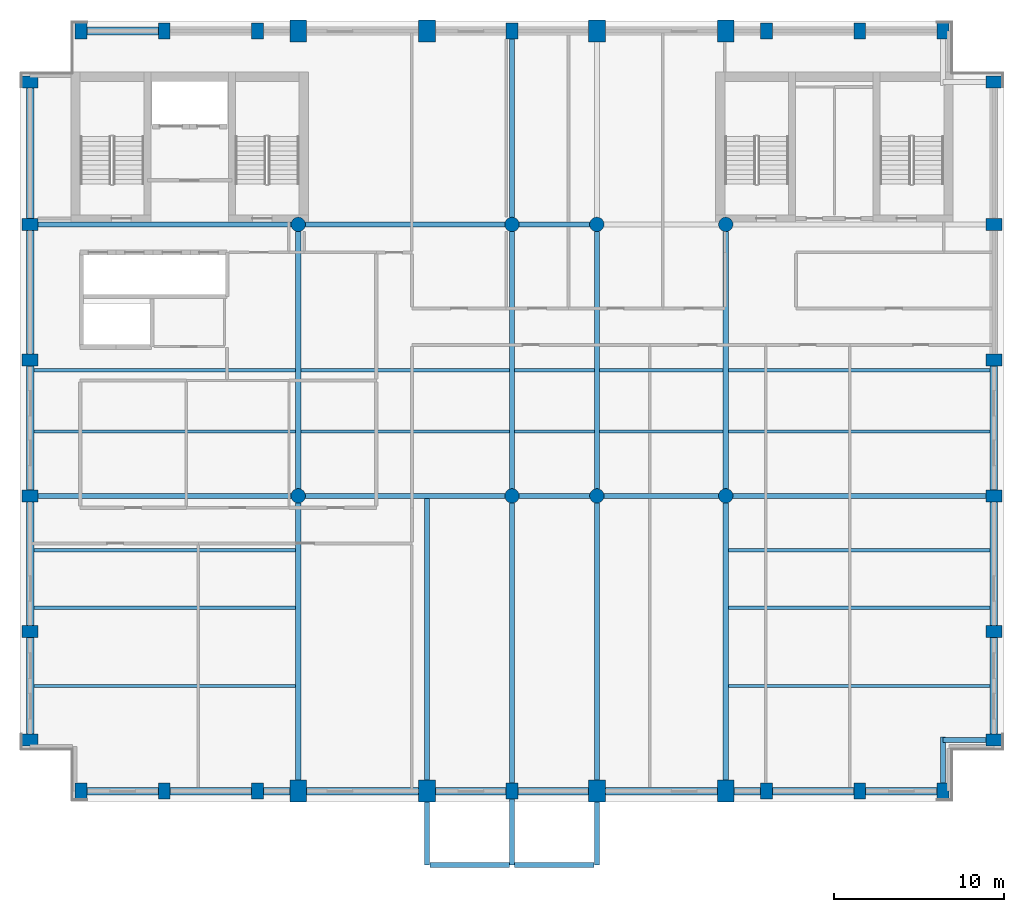
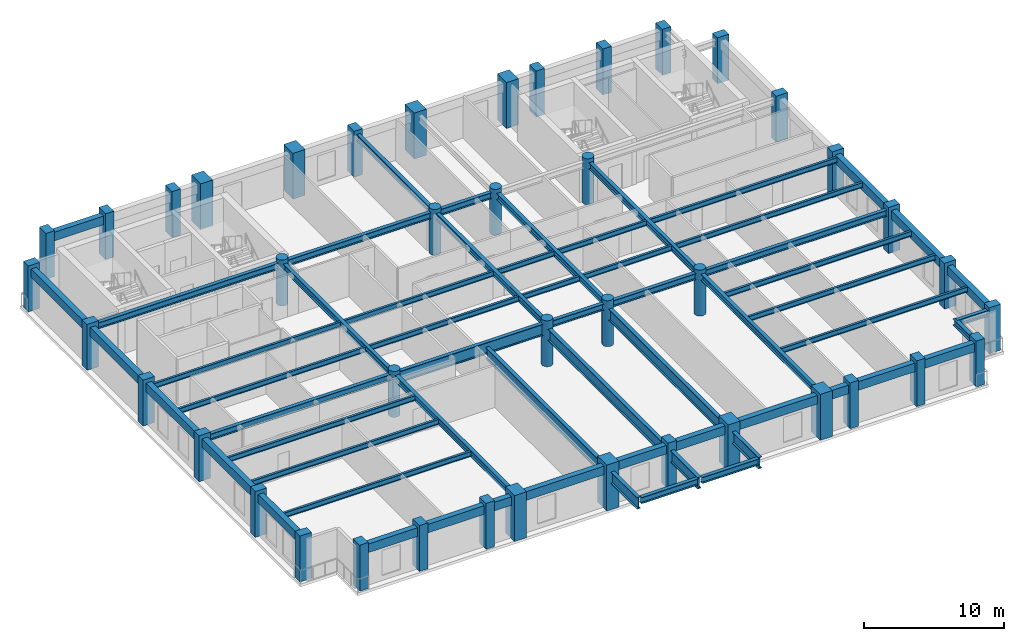
# One storey, part 1 of 9: 60 beams, 42 columns.
"""IFC4 building model written with IfcOpenShell, lengths in metres."""

from ifc_helpers import new_model, si_unit, direction, frame, origin, origin_2d, place, context, subcontext, project, spatial, rectangle, circle, i_section, extrude, material, material_profile, profile_set, type_object, element, save


model = new_model("IFC4")

# Units and contexts
model_context = context("Model", 3, precision=1e-05, world=origin(), true_north=direction((0.0, 1.0)))
body_context = subcontext(model_context, "Body", "Model", "MODEL_VIEW")
ifc_project = project(units=[si_unit("LENGTHUNIT", "METRE"), si_unit("AREAUNIT", "SQUARE_METRE"), si_unit("VOLUMEUNIT", "CUBIC_METRE"), si_unit("PLANEANGLEUNIT", "RADIAN"), si_unit("MASSUNIT", "GRAM", prefix="KILO")], contexts=[model_context])

# Site, building, storey
site_placement = place(None, origin())
site = spatial("IfcSite", under=ifc_project, at=site_placement, CompositionType="ELEMENT")
building_placement = place(site_placement, origin())
building = spatial("IfcBuilding", under=site, at=building_placement, Name="Sulina Concourse Tower", CompositionType="ELEMENT")
storey_placement = place(building_placement, frame((0.0, 0.0, 276.60009765625)))
storey = spatial("IfcBuildingStorey", under=building, at=storey_placement, Name="L67", CompositionType="ELEMENT", Elevation=276.60009765625)

# Columns
ifc_material_1 = material(Name="Precast concrete C50/60", Category="concrete")
ifc_material_profile_1 = material_profile(ifc_material_1, rectangle(XDim=0.699951171875, YDim=0.949951171875, at=origin_2d()), Name="PC 700x950")
ifc_profile_set_1 = profile_set([ifc_material_profile_1], Name="Precast concrete C50/60")
column_type_1 = type_object("IfcColumnType", Name="Precast Tube Pier Zone 5 700x950", PredefinedType="COLUMN", material=ifc_profile_set_1)
for number, where, z_axis, x_axis, name in (
    (1, (3.60009765625, 0.60009765625, 0.0), (0.0, 0.0, 1.0), (1.0, 0.0, 0.0), "L67 structural column TP-S-36"),
    (2, (3.60009765625, 45.39990234375, 0.0), (0.0, 0.0, 1.0), (1.0, 0.0, 0.0), "L67 structural column TP-N-36"),
    (3, (8.5, 0.60009765625, 0.0), (0.0, 0.0, 1.0), (1.0, 0.0, 0.0), "L67 structural column TP-S-85"),
    (4, (8.5, 45.39990234375, 0.0), (0.0, 0.0, 1.0), (1.0, 0.0, 0.0), "L67 structural column TP-N-85"),
    (5, (14.0, 0.60009765625, 0.0), (0.0, 0.0, 1.0), (1.0, 0.0, 0.0), "L67 structural column TP-S-140"),
    (6, (14.0, 45.39990234375, 0.0), (0.0, 0.0, 1.0), (1.0, 0.0, 0.0), "L67 structural column TP-N-140"),
    (7, (29.0, 0.60009765625, 0.0), (0.0, 0.0, 1.0), (1.0, 0.0, 0.0), "L67 structural column TP-S-290"),
    (8, (29.0, 45.39990234375, 0.0), (0.0, 0.0, 1.0), (1.0, 0.0, 0.0), "L67 structural column TP-N-290"),
    (9, (44.0, 0.60009765625, 0.0), (0.0, 0.0, 1.0), (1.0, 0.0, 0.0), "L67 structural column TP-S-440"),
    (10, (44.0, 45.39990234375, 0.0), (0.0, 0.0, 1.0), (1.0, 0.0, 0.0), "L67 structural column TP-N-440"),
    (11, (49.5, 0.60009765625, 0.0), (0.0, 0.0, 1.0), (1.0, 0.0, 0.0), "L67 structural column TP-S-495"),
    (12, (49.5, 45.39990234375, 0.0), (0.0, 0.0, 1.0), (1.0, 0.0, 0.0), "L67 structural column TP-N-495"),
    (13, (54.39990234375, 0.60009765625, 0.0), (0.0, 0.0, 1.0), (1.0, 0.0, 0.0), "L67 structural column TP-S-544"),
    (14, (54.39990234375, 45.39990234375, 0.0), (0.0, 0.0, 1.0), (1.0, 0.0, 0.0), "L67 structural column TP-N-544"),
    (15, (0.60009765625, 3.60009765625, 0.0), (0.0, 0.0, 1.0), (0.0, 1.0, 0.0), "L67 structural column TP-W-36"),
    (16, (57.39990234375, 3.60009765625, 0.0), (0.0, 0.0, 1.0), (0.0, 1.0, 0.0), "L67 structural column TP-E-36"),
    (17, (0.60009765625, 10.0, 0.0), (0.0, 0.0, 1.0), (0.0, 1.0, 0.0), "L67 structural column TP-W-100"),
    (18, (57.39990234375, 10.0, 0.0), (0.0, 0.0, 1.0), (0.0, 1.0, 0.0), "L67 structural column TP-E-100"),
    (19, (0.60009765625, 18.0, 0.0), (0.0, 0.0, 1.0), (0.0, 1.0, 0.0), "L67 structural column TP-W-180"),
    (20, (57.39990234375, 18.0, 0.0), (0.0, 0.0, 1.0), (0.0, 1.0, 0.0), "L67 structural column TP-E-180"),
    (21, (0.60009765625, 26.0, 0.0), (0.0, 0.0, 1.0), (0.0, 1.0, 0.0), "L67 structural column TP-W-260"),
    (22, (57.39990234375, 26.0, 0.0), (0.0, 0.0, 1.0), (0.0, 1.0, 0.0), "L67 structural column TP-E-260"),
    (23, (0.60009765625, 34.0, 0.0), (0.0, 0.0, 1.0), (0.0, 1.0, 0.0), "L67 structural column TP-W-340"),
    (24, (57.39990234375, 34.0, 0.0), (0.0, 0.0, 1.0), (0.0, 1.0, 0.0), "L67 structural column TP-E-340"),
    (25, (0.60009765625, 42.39990234375, 0.0), (0.0, 0.0, 1.0), (0.0, 1.0, 0.0), "L67 structural column TP-W-424"),
    (26, (57.39990234375, 42.39990234375, 0.0), (0.0, 0.0, 1.0), (0.0, 1.0, 0.0), "L67 structural column TP-E-424"),
):
    element("IfcColumn", number, at=place(storey_placement, frame(where, z_axis=z_axis, x_axis=x_axis)), inside=storey, type_object=column_type_1, Name=name, PredefinedType="COLUMN", context=body_context, shape_type="SweptSolid", body=[
        extrude(rectangle(XDim=0.699951171875, YDim=0.949951171875, at=origin_2d()), origin(), (0.0, 0.0, 1.0), 4.0),
    ])
ifc_material_2 = material(Name="Concrete C50/60", Category="concrete")
ifc_material_profile_2 = material_profile(ifc_material_2, circle(Radius=0.425048828125, at=origin_2d()), Name="RC D850")
ifc_profile_set_2 = profile_set([ifc_material_profile_2], Name="Concrete C50/60")
column_type_2 = type_object("IfcColumnType", Name="Upper Interior Circular Column D850", PredefinedType="COLUMN", material=ifc_profile_set_2)
for number, where, z_axis, x_axis, name in (
    (27, (16.39990234375, 18.0, 0.0), (0.0, 0.0, 1.0), (1.0, 0.0, 0.0), "L67 structural column IC-M-164"),
    (28, (16.39990234375, 34.0, 0.0), (0.0, 0.0, 1.0), (1.0, 0.0, 0.0), "L67 structural column IC-N-164"),
    (29, (29.0, 18.0, 0.0), (0.0, 0.0, 1.0), (1.0, 0.0, 0.0), "L67 structural column IC-M-290"),
    (30, (29.0, 34.0, 0.0), (0.0, 0.0, 1.0), (1.0, 0.0, 0.0), "L67 structural column IC-N-290"),
    (31, (41.60009765625, 18.0, 0.0), (0.0, 0.0, 1.0), (1.0, 0.0, 0.0), "L67 structural column IC-M-416"),
    (32, (41.60009765625, 34.0, 0.0), (0.0, 0.0, 1.0), (1.0, 0.0, 0.0), "L67 structural column IC-N-416"),
    (33, (34.0, 18.0, 0.0), (0.0, 0.0, 1.0), (1.0, 0.0, 0.0), "L67 structural column IC-M-340"),
    (34, (34.0, 34.0, 0.0), (0.0, 0.0, 1.0), (1.0, 0.0, 0.0), "L67 structural column IC-N-340"),
):
    element("IfcColumn", number, at=place(storey_placement, frame(where, z_axis=z_axis, x_axis=x_axis)), inside=storey, type_object=column_type_2, Name=name, PredefinedType="COLUMN", context=body_context, shape_type="SweptSolid", body=[
        extrude(circle(Radius=0.425048828125, at=origin_2d()), origin(), (0.0, 0.0, 1.0), 4.0),
    ])
ifc_material_3 = material(Name="Concrete C60/75", Category="concrete")
ifc_material_profile_3 = material_profile(ifc_material_3, rectangle(XDim=1.0, YDim=1.300048828125, at=origin_2d()), Name="RC 1000x1300")
ifc_profile_set_3 = profile_set([ifc_material_profile_3], Name="Concrete C60/75")
column_type_3 = type_object("IfcColumnType", Name="Upper Portal Column 1000x1300", PredefinedType="COLUMN", material=ifc_profile_set_3)
for number, where, z_axis, x_axis, name in (
    (35, (16.39990234375, 0.60009765625, 0.0), (0.0, 0.0, 1.0), (1.0, 0.0, 0.0), "L67 structural column TP-S-164"),
    (36, (16.39990234375, 45.39990234375, 0.0), (0.0, 0.0, 1.0), (1.0, 0.0, 0.0), "L67 structural column TP-N-164"),
    (37, (24.0, 0.60009765625, 0.0), (0.0, 0.0, 1.0), (1.0, 0.0, 0.0), "L67 structural column TP-S-240"),
    (38, (24.0, 45.39990234375, 0.0), (0.0, 0.0, 1.0), (1.0, 0.0, 0.0), "L67 structural column TP-N-240"),
    (39, (34.0, 0.60009765625, 0.0), (0.0, 0.0, 1.0), (1.0, 0.0, 0.0), "L67 structural column TP-S-340"),
    (40, (34.0, 45.39990234375, 0.0), (0.0, 0.0, 1.0), (1.0, 0.0, 0.0), "L67 structural column TP-N-340"),
    (41, (41.60009765625, 0.60009765625, 0.0), (0.0, 0.0, 1.0), (1.0, 0.0, 0.0), "L67 structural column TP-S-416"),
    (42, (41.60009765625, 45.39990234375, 0.0), (0.0, 0.0, 1.0), (1.0, 0.0, 0.0), "L67 structural column TP-N-416"),
):
    element("IfcColumn", number, at=place(storey_placement, frame(where, z_axis=z_axis, x_axis=x_axis)), inside=storey, type_object=column_type_3, Name=name, PredefinedType="COLUMN", context=body_context, shape_type="SweptSolid", body=[
        extrude(rectangle(XDim=1.0, YDim=1.300048828125, at=origin_2d()), origin(), (0.0, 0.0, 1.0), 4.0),
    ])

# Beams
ifc_material_4 = material(Name="Steel S355", Category="steel")
ifc_material_profile_4 = material_profile(ifc_material_4, i_section(OverallWidth=0.18994140625, OverallDepth=0.449951171875, WebThickness=0.009521484375, FlangeThickness=0.0146484375, at=origin_2d()), Name="IPE 450")
ifc_profile_set_4 = profile_set([ifc_material_profile_4], Name="Steel S355")
beam_type_1 = type_object("IfcBeamType", Name="Composite Floor Joist IPE450", PredefinedType="JOIST", material=ifc_profile_set_4)
for number, where, z_axis, x_axis, name in (
    (43, (0.824951171875, 6.800048828125, 3.434814453125), (1.0, 0.0, 0.0), (0.0, 1.0, 0.0), "FJ-J06-1-L67"),
    (44, (41.75, 6.800048828125, 3.434814453125), (1.0, 0.0, 0.0), (0.0, 1.0, 0.0), "FJ-J06-3-L67"),
    (45, (0.824951171875, 11.39990234375, 3.434814453125), (1.0, 0.0, 0.0), (0.0, 1.0, 0.0), "FJ-J11-1-L67"),
    (46, (41.75, 11.39990234375, 3.434814453125), (1.0, 0.0, 0.0), (0.0, 1.0, 0.0), "FJ-J11-3-L67"),
    (47, (0.824951171875, 14.800048828125, 3.434814453125), (1.0, 0.0, 0.0), (0.0, 1.0, 0.0), "FJ-J15-1-L67"),
    (48, (41.75, 14.800048828125, 3.434814453125), (1.0, 0.0, 0.0), (0.0, 1.0, 0.0), "FJ-J15-3-L67"),
    (49, (0.824951171875, 21.800048828125, 3.434814453125), (1.0, 0.0, 0.0), (0.0, 1.0, 0.0), "FJ-J22-1-L67"),
):
    element("IfcBeam", number, at=place(storey_placement, frame(where, z_axis=z_axis, x_axis=x_axis)), inside=storey, type_object=beam_type_1, Name=name, PredefinedType="JOIST", context=body_context, shape_type="SweptSolid", body=[
        extrude(i_section(OverallWidth=0.18994140625, OverallDepth=0.449951171875, WebThickness=0.009521484375, FlangeThickness=0.0146484375, at=origin_2d()), origin(), (0.0, 0.0, 1.0), 15.425048828125),
    ])
beam_1_placement = place(storey_placement, frame((16.550048828125, 21.800048828125, 3.434814453125), z_axis=(1.0, 0.0, 0.0), x_axis=(0.0, 1.0, 0.0)))
element("IfcBeam", 50, at=beam_1_placement, inside=storey, type_object=beam_type_1, Name="FJ-J22-2-L67", PredefinedType="JOIST", context=body_context, shape_type="SweptSolid", body=[
    extrude(i_section(OverallWidth=0.18994140625, OverallDepth=0.449951171875, WebThickness=0.009521484375, FlangeThickness=0.0146484375, at=origin_2d()), origin(), (0.0, 0.0, 1.0), 12.300048828125),
])
beam_2_placement = place(storey_placement, frame((29.14990234375, 21.800048828125, 3.434814453125), z_axis=(1.0, 0.0, 0.0), x_axis=(0.0, 1.0, 0.0)))
element("IfcBeam", 51, at=beam_2_placement, inside=storey, type_object=beam_type_1, Name="FJ-J22-3-L67", PredefinedType="JOIST", context=body_context, shape_type="SweptSolid", body=[
    extrude(i_section(OverallWidth=0.18994140625, OverallDepth=0.449951171875, WebThickness=0.009521484375, FlangeThickness=0.0146484375, at=origin_2d()), origin(), (0.0, 0.0, 1.0), 4.7001953125),
])
beam_3_placement = place(storey_placement, frame((34.14990234375, 21.800048828125, 3.434814453125), z_axis=(1.0, 0.0, 0.0), x_axis=(0.0, 1.0, 0.0)))
element("IfcBeam", 52, at=beam_3_placement, inside=storey, type_object=beam_type_1, Name="FJ-J22-4-L67", PredefinedType="JOIST", context=body_context, shape_type="SweptSolid", body=[
    extrude(i_section(OverallWidth=0.18994140625, OverallDepth=0.449951171875, WebThickness=0.009521484375, FlangeThickness=0.0146484375, at=origin_2d()), origin(), (0.0, 0.0, 1.0), 7.300048828125),
])
for number, where, z_axis, x_axis, name in (
    (53, (41.75, 21.800048828125, 3.434814453125), (1.0, 0.0, 0.0), (0.0, 1.0, 0.0), "FJ-J22-5-L67"),
    (54, (0.824951171875, 25.39990234375, 3.434814453125), (1.0, 0.0, 0.0), (0.0, 1.0, 0.0), "FJ-J25-1-L67"),
):
    element("IfcBeam", number, at=place(storey_placement, frame(where, z_axis=z_axis, x_axis=x_axis)), inside=storey, type_object=beam_type_1, Name=name, PredefinedType="JOIST", context=body_context, shape_type="SweptSolid", body=[
        extrude(i_section(OverallWidth=0.18994140625, OverallDepth=0.449951171875, WebThickness=0.009521484375, FlangeThickness=0.0146484375, at=origin_2d()), origin(), (0.0, 0.0, 1.0), 15.425048828125),
    ])
beam_4_placement = place(storey_placement, frame((16.550048828125, 25.39990234375, 3.434814453125), z_axis=(1.0, 0.0, 0.0), x_axis=(0.0, 1.0, 0.0)))
element("IfcBeam", 55, at=beam_4_placement, inside=storey, type_object=beam_type_1, Name="FJ-J25-2-L67", PredefinedType="JOIST", context=body_context, shape_type="SweptSolid", body=[
    extrude(i_section(OverallWidth=0.18994140625, OverallDepth=0.449951171875, WebThickness=0.009521484375, FlangeThickness=0.0146484375, at=origin_2d()), origin(), (0.0, 0.0, 1.0), 12.300048828125),
])
beam_5_placement = place(storey_placement, frame((29.14990234375, 25.39990234375, 3.434814453125), z_axis=(1.0, 0.0, 0.0), x_axis=(0.0, 1.0, 0.0)))
element("IfcBeam", 56, at=beam_5_placement, inside=storey, type_object=beam_type_1, Name="FJ-J25-3-L67", PredefinedType="JOIST", context=body_context, shape_type="SweptSolid", body=[
    extrude(i_section(OverallWidth=0.18994140625, OverallDepth=0.449951171875, WebThickness=0.009521484375, FlangeThickness=0.0146484375, at=origin_2d()), origin(), (0.0, 0.0, 1.0), 4.7001953125),
])
beam_6_placement = place(storey_placement, frame((34.14990234375, 25.39990234375, 3.434814453125), z_axis=(1.0, 0.0, 0.0), x_axis=(0.0, 1.0, 0.0)))
element("IfcBeam", 57, at=beam_6_placement, inside=storey, type_object=beam_type_1, Name="FJ-J25-4-L67", PredefinedType="JOIST", context=body_context, shape_type="SweptSolid", body=[
    extrude(i_section(OverallWidth=0.18994140625, OverallDepth=0.449951171875, WebThickness=0.009521484375, FlangeThickness=0.0146484375, at=origin_2d()), origin(), (0.0, 0.0, 1.0), 7.300048828125),
])
beam_7_placement = place(storey_placement, frame((41.75, 25.39990234375, 3.434814453125), z_axis=(1.0, 0.0, 0.0), x_axis=(0.0, 1.0, 0.0)))
element("IfcBeam", 58, at=beam_7_placement, inside=storey, type_object=beam_type_1, Name="FJ-J25-5-L67", PredefinedType="JOIST", context=body_context, shape_type="SweptSolid", body=[
    extrude(i_section(OverallWidth=0.18994140625, OverallDepth=0.449951171875, WebThickness=0.009521484375, FlangeThickness=0.0146484375, at=origin_2d()), origin(), (0.0, 0.0, 1.0), 15.425048828125),
])
ifc_material_5 = material(Name="Steel S355", Category="steel")
ifc_material_profile_5 = material_profile(ifc_material_5, i_section(OverallWidth=0.300048828125, OverallDepth=0.550048828125, WebThickness=0.014892578125, FlangeThickness=0.029052734375, at=origin_2d()), Name="HE 550 B")
ifc_profile_set_5 = profile_set([ifc_material_profile_5], Name="Steel S355")
beam_type_2 = type_object("IfcBeamType", Name="Floor Primary Girder Zone 4 HE550B", PredefinedType="BEAM", material=ifc_profile_set_5)
beam_8_placement = place(storey_placement, frame((54.39990234375, 3.60009765625, 3.385009765625), z_axis=(1.0, 0.0, 0.0), x_axis=(0.0, 1.0, 0.0)))
element("IfcBeam", 59, at=beam_8_placement, inside=storey, type_object=beam_type_2, Name="TIE-SE-L67", PredefinedType="BEAM", context=body_context, shape_type="SweptSolid", body=[
    extrude(i_section(OverallWidth=0.300048828125, OverallDepth=0.550048828125, WebThickness=0.014892578125, FlangeThickness=0.029052734375, at=origin_2d()), origin(), (0.0, 0.0, 1.0), 2.670166015625),
])
beam_9_placement = place(storey_placement, frame((54.39990234375, 0.929931640625, 3.385009765625), z_axis=(0.0, 1.0, 0.0), x_axis=(-1.0, 0.0, 0.0)))
element("IfcBeam", 60, at=beam_9_placement, inside=storey, type_object=beam_type_2, Name="TIE-SES-L67", PredefinedType="BEAM", context=body_context, shape_type="SweptSolid", body=[
    extrude(i_section(OverallWidth=0.300048828125, OverallDepth=0.550048828125, WebThickness=0.014892578125, FlangeThickness=0.029052734375, at=origin_2d()), origin(), (0.0, 0.0, 1.0), 2.8701171875),
])
beam_10_placement = place(storey_placement, frame((0.929931640625, 18.0, 3.385009765625), z_axis=(1.0, 0.0, 0.0), x_axis=(0.0, 1.0, 0.0)))
element("IfcBeam", 61, at=beam_10_placement, inside=storey, type_object=beam_type_2, Name="FG-EW1-L67", PredefinedType="BEAM", context=body_context, shape_type="SweptSolid", body=[
    extrude(i_section(OverallWidth=0.300048828125, OverallDepth=0.550048828125, WebThickness=0.014892578125, FlangeThickness=0.029052734375, at=origin_2d()), origin(), (0.0, 0.0, 1.0), 15.065185546875),
])
beam_11_placement = place(storey_placement, frame((29.405029296875, 18.0, 3.385009765625), z_axis=(1.0, 0.0, 0.0), x_axis=(0.0, 1.0, 0.0)))
element("IfcBeam", 62, at=beam_11_placement, inside=storey, type_object=beam_type_2, Name="FG-EW3-L67", PredefinedType="BEAM", context=body_context, shape_type="SweptSolid", body=[
    extrude(i_section(OverallWidth=0.300048828125, OverallDepth=0.550048828125, WebThickness=0.014892578125, FlangeThickness=0.029052734375, at=origin_2d()), origin(), (0.0, 0.0, 1.0), 4.18994140625),
])
beam_12_placement = place(storey_placement, frame((34.405029296875, 18.0, 3.385009765625), z_axis=(1.0, 0.0, 0.0), x_axis=(0.0, 1.0, 0.0)))
element("IfcBeam", 63, at=beam_12_placement, inside=storey, type_object=beam_type_2, Name="FG-EW4-L67", PredefinedType="BEAM", context=body_context, shape_type="SweptSolid", body=[
    extrude(i_section(OverallWidth=0.300048828125, OverallDepth=0.550048828125, WebThickness=0.014892578125, FlangeThickness=0.029052734375, at=origin_2d()), origin(), (0.0, 0.0, 1.0), 6.7900390625),
])
for number, where, z_axis, x_axis, name in (
    (64, (42.0048828125, 18.0, 3.385009765625), (1.0, 0.0, 0.0), (0.0, 1.0, 0.0), "FG-EW5-L67"),
    (65, (0.929931640625, 34.0, 3.385009765625), (1.0, 0.0, 0.0), (0.0, 1.0, 0.0), "FG-EWN1-L67"),
):
    element("IfcBeam", number, at=place(storey_placement, frame(where, z_axis=z_axis, x_axis=x_axis)), inside=storey, type_object=beam_type_2, Name=name, PredefinedType="BEAM", context=body_context, shape_type="SweptSolid", body=[
        extrude(i_section(OverallWidth=0.300048828125, OverallDepth=0.550048828125, WebThickness=0.014892578125, FlangeThickness=0.029052734375, at=origin_2d()), origin(), (0.0, 0.0, 1.0), 15.065185546875),
    ])
beam_13_placement = place(storey_placement, frame((16.804931640625, 34.0, 3.385009765625), z_axis=(1.0, 0.0, 0.0), x_axis=(0.0, 1.0, 0.0)))
element("IfcBeam", 66, at=beam_13_placement, inside=storey, type_object=beam_type_2, Name="FG-EWN2-L67", PredefinedType="BEAM", context=body_context, shape_type="SweptSolid", body=[
    extrude(i_section(OverallWidth=0.300048828125, OverallDepth=0.550048828125, WebThickness=0.014892578125, FlangeThickness=0.029052734375, at=origin_2d()), origin(), (0.0, 0.0, 1.0), 11.7900390625),
])
beam_14_placement = place(storey_placement, frame((29.405029296875, 34.0, 3.385009765625), z_axis=(1.0, 0.0, 0.0), x_axis=(0.0, 1.0, 0.0)))
element("IfcBeam", 67, at=beam_14_placement, inside=storey, type_object=beam_type_2, Name="FG-EWN3-L67", PredefinedType="BEAM", context=body_context, shape_type="SweptSolid", body=[
    extrude(i_section(OverallWidth=0.300048828125, OverallDepth=0.550048828125, WebThickness=0.014892578125, FlangeThickness=0.029052734375, at=origin_2d()), origin(), (0.0, 0.0, 1.0), 4.18994140625),
])
beam_15_placement = place(storey_placement, frame((16.39990234375, 1.080078125, 3.385009765625), z_axis=(0.0, 1.0, 0.0), x_axis=(-1.0, 0.0, 0.0)))
element("IfcBeam", 68, at=beam_15_placement, inside=storey, type_object=beam_type_2, Name="FG-NSA-16-L67", PredefinedType="BEAM", context=body_context, shape_type="SweptSolid", body=[
    extrude(i_section(OverallWidth=0.300048828125, OverallDepth=0.550048828125, WebThickness=0.014892578125, FlangeThickness=0.029052734375, at=origin_2d()), origin(), (0.0, 0.0, 1.0), 16.514892578125),
])
for number, where, z_axis, x_axis, name in (
    (69, (16.39990234375, 18.405029296875, 3.385009765625), (0.0, 1.0, 0.0), (-1.0, 0.0, 0.0), "FG-NSB-16-L67"),
    (70, (29.0, 18.405029296875, 3.385009765625), (0.0, 1.0, 0.0), (-1.0, 0.0, 0.0), "FG-NSB-29-L67"),
):
    element("IfcBeam", number, at=place(storey_placement, frame(where, z_axis=z_axis, x_axis=x_axis)), inside=storey, type_object=beam_type_2, Name=name, PredefinedType="BEAM", context=body_context, shape_type="SweptSolid", body=[
        extrude(i_section(OverallWidth=0.300048828125, OverallDepth=0.550048828125, WebThickness=0.014892578125, FlangeThickness=0.029052734375, at=origin_2d()), origin(), (0.0, 0.0, 1.0), 15.18994140625),
    ])
beam_16_placement = place(storey_placement, frame((29.0, 34.405029296875, 3.385009765625), z_axis=(0.0, 1.0, 0.0), x_axis=(-1.0, 0.0, 0.0)))
element("IfcBeam", 71, at=beam_16_placement, inside=storey, type_object=beam_type_2, Name="FG-NSC-29-L67", PredefinedType="BEAM", context=body_context, shape_type="SweptSolid", body=[
    extrude(i_section(OverallWidth=0.300048828125, OverallDepth=0.550048828125, WebThickness=0.014892578125, FlangeThickness=0.029052734375, at=origin_2d()), origin(), (0.0, 0.0, 1.0), 10.6650390625),
])
beam_17_placement = place(storey_placement, frame((34.0, 18.405029296875, 3.385009765625), z_axis=(0.0, 1.0, 0.0), x_axis=(-1.0, 0.0, 0.0)))
element("IfcBeam", 72, at=beam_17_placement, inside=storey, type_object=beam_type_2, Name="FG-NSB-34-L67", PredefinedType="BEAM", context=body_context, shape_type="SweptSolid", body=[
    extrude(i_section(OverallWidth=0.300048828125, OverallDepth=0.550048828125, WebThickness=0.014892578125, FlangeThickness=0.029052734375, at=origin_2d()), origin(), (0.0, 0.0, 1.0), 15.18994140625),
])
beam_18_placement = place(storey_placement, frame((41.60009765625, 1.080078125, 3.385009765625), z_axis=(0.0, 1.0, 0.0), x_axis=(-1.0, 0.0, 0.0)))
element("IfcBeam", 73, at=beam_18_placement, inside=storey, type_object=beam_type_2, Name="FG-NSA-41-L67", PredefinedType="BEAM", context=body_context, shape_type="SweptSolid", body=[
    extrude(i_section(OverallWidth=0.300048828125, OverallDepth=0.550048828125, WebThickness=0.014892578125, FlangeThickness=0.029052734375, at=origin_2d()), origin(), (0.0, 0.0, 1.0), 16.514892578125),
])
beam_19_placement = place(storey_placement, frame((41.60009765625, 18.405029296875, 3.385009765625), z_axis=(0.0, 1.0, 0.0), x_axis=(-1.0, 0.0, 0.0)))
element("IfcBeam", 74, at=beam_19_placement, inside=storey, type_object=beam_type_2, Name="FG-NSB-41-L67", PredefinedType="BEAM", context=body_context, shape_type="SweptSolid", body=[
    extrude(i_section(OverallWidth=0.300048828125, OverallDepth=0.550048828125, WebThickness=0.014892578125, FlangeThickness=0.029052734375, at=origin_2d()), origin(), (0.0, 0.0, 1.0), 15.18994140625),
])
for number, where, z_axis, x_axis, name in (
    (75, (24.159912109375, -3.75, 3.0048828125), (1.0, 0.0, 0.0), (0.0, 1.0, 0.0), "CG-POOL-TIP-1-L67"),
    (76, (29.159912109375, -3.75, 3.0048828125), (1.0, 0.0, 0.0), (0.0, 1.0, 0.0), "CG-POOL-TIP-2-L67"),
):
    element("IfcBeam", number, at=place(storey_placement, frame(where, z_axis=z_axis, x_axis=x_axis)), inside=storey, type_object=beam_type_2, Name=name, PredefinedType="BEAM", context=body_context, shape_type="SweptSolid", body=[
        extrude(i_section(OverallWidth=0.300048828125, OverallDepth=0.550048828125, WebThickness=0.014892578125, FlangeThickness=0.029052734375, at=origin_2d()), origin(), (0.0, 0.0, 1.0), 4.68017578125),
    ])
ifc_material_6 = material(Name="Steel S355", Category="steel")
ifc_material_profile_6 = material_profile(ifc_material_6, i_section(OverallWidth=0.302001953125, OverallDepth=1.008056640625, WebThickness=0.02099609375, FlangeThickness=0.0400390625, at=origin_2d()), Name="HE 1000 M")
ifc_profile_set_6 = profile_set([ifc_material_profile_6], Name="Steel S355")
beam_type_3 = type_object("IfcBeamType", Name="Sky-Pool Cantilever Girder HE1000M", PredefinedType="BEAM", material=ifc_profile_set_6)
beam_20_placement = place(storey_placement, frame((24.0, -3.75, 2.77587890625), z_axis=(0.0, 1.0, 0.0), x_axis=(-1.0, 0.0, 0.0)))
element("IfcBeam", 77, at=beam_20_placement, inside=storey, type_object=beam_type_3, Name="CG-POOL-CANT-1-L67", PredefinedType="BEAM", context=body_context, shape_type="SweptSolid", body=[
    extrude(i_section(OverallWidth=0.302001953125, OverallDepth=1.008056640625, WebThickness=0.02099609375, FlangeThickness=0.0400390625, at=origin_2d()), origin(), (0.0, 0.0, 1.0), 3.8701171875),
])
beam_21_placement = place(storey_placement, frame((16.804931640625, 18.0, 3.156005859375), z_axis=(1.0, 0.0, 0.0), x_axis=(0.0, 1.0, 0.0)))
element("IfcBeam", 78, at=beam_21_placement, inside=storey, type_object=beam_type_3, Name="CG-POOL-HDR-L67", PredefinedType="BEAM", context=body_context, shape_type="SweptSolid", body=[
    extrude(i_section(OverallWidth=0.302001953125, OverallDepth=1.008056640625, WebThickness=0.02099609375, FlangeThickness=0.0400390625, at=origin_2d()), origin(), (0.0, 0.0, 1.0), 11.7900390625),
])
beam_22_placement = place(storey_placement, frame((24.0, 1.080078125, 2.77587890625), z_axis=(0.0, 1.0, 0.0), x_axis=(-1.0, 0.0, 0.0)))
element("IfcBeam", 79, at=beam_22_placement, inside=storey, type_object=beam_type_3, Name="CG-POOL-BACK-1-L67", PredefinedType="BEAM", context=body_context, shape_type="SweptSolid", body=[
    extrude(i_section(OverallWidth=0.302001953125, OverallDepth=1.008056640625, WebThickness=0.02099609375, FlangeThickness=0.0400390625, at=origin_2d()), origin(), (0.0, 0.0, 1.0), 16.780029296875),
])
beam_23_placement = place(storey_placement, frame((29.0, -3.75, 2.77587890625), z_axis=(0.0, 1.0, 0.0), x_axis=(-1.0, 0.0, 0.0)))
element("IfcBeam", 80, at=beam_23_placement, inside=storey, type_object=beam_type_3, Name="CG-POOL-CANT-2-L67", PredefinedType="BEAM", context=body_context, shape_type="SweptSolid", body=[
    extrude(i_section(OverallWidth=0.302001953125, OverallDepth=1.008056640625, WebThickness=0.02099609375, FlangeThickness=0.0400390625, at=origin_2d()), origin(), (0.0, 0.0, 1.0), 4.02001953125),
])
beam_24_placement = place(storey_placement, frame((29.0, 0.929931640625, 2.77587890625), z_axis=(0.0, 1.0, 0.0), x_axis=(-1.0, 0.0, 0.0)))
element("IfcBeam", 81, at=beam_24_placement, inside=storey, type_object=beam_type_3, Name="CG-POOL-BACK-2-L67", PredefinedType="BEAM", context=body_context, shape_type="SweptSolid", body=[
    extrude(i_section(OverallWidth=0.302001953125, OverallDepth=1.008056640625, WebThickness=0.02099609375, FlangeThickness=0.0400390625, at=origin_2d()), origin(), (0.0, 0.0, 1.0), 16.6650390625),
])
beam_25_placement = place(storey_placement, frame((34.0, -3.75, 2.77587890625), z_axis=(0.0, 1.0, 0.0), x_axis=(-1.0, 0.0, 0.0)))
element("IfcBeam", 82, at=beam_25_placement, inside=storey, type_object=beam_type_3, Name="CG-POOL-CANT-3-L67", PredefinedType="BEAM", context=body_context, shape_type="SweptSolid", body=[
    extrude(i_section(OverallWidth=0.302001953125, OverallDepth=1.008056640625, WebThickness=0.02099609375, FlangeThickness=0.0400390625, at=origin_2d()), origin(), (0.0, 0.0, 1.0), 3.8701171875),
])
beam_26_placement = place(storey_placement, frame((34.0, 1.080078125, 2.77587890625), z_axis=(0.0, 1.0, 0.0), x_axis=(-1.0, 0.0, 0.0)))
element("IfcBeam", 83, at=beam_26_placement, inside=storey, type_object=beam_type_3, Name="CG-POOL-BACK-3-L67", PredefinedType="BEAM", context=body_context, shape_type="SweptSolid", body=[
    extrude(i_section(OverallWidth=0.302001953125, OverallDepth=1.008056640625, WebThickness=0.02099609375, FlangeThickness=0.0400390625, at=origin_2d()), origin(), (0.0, 0.0, 1.0), 16.514892578125),
])
ifc_material_7 = material(Name="Precast concrete C50/60", Category="concrete")
ifc_material_profile_7 = material_profile(ifc_material_7, rectangle(XDim=0.449951171875, YDim=0.75, at=origin_2d()), Name="RC 450x750")
ifc_profile_set_7 = profile_set([ifc_material_profile_7], Name="Precast concrete C50/60")
beam_type_4 = type_object("IfcBeamType", Name="Upper Precast Spandrel Edge Beam 450x750", PredefinedType="BEAM", material=ifc_profile_set_7)
beam_27_placement = place(storey_placement, frame((3.929931640625, 0.60009765625, 3.284912109375), z_axis=(1.0, 0.0, 0.0), x_axis=(0.0, 1.0, 0.0)))
element("IfcBeam", 84, at=beam_27_placement, inside=storey, type_object=beam_type_4, Name="SP-S1-L67", PredefinedType="BEAM", context=body_context, shape_type="SweptSolid", body=[
    extrude(rectangle(XDim=0.449951171875, YDim=0.75, at=origin_2d()), origin(), (0.0, 0.0, 1.0), 4.239990234375),
])
beam_28_placement = place(storey_placement, frame((8.830078125, 0.60009765625, 3.284912109375), z_axis=(1.0, 0.0, 0.0), x_axis=(0.0, 1.0, 0.0)))
element("IfcBeam", 85, at=beam_28_placement, inside=storey, type_object=beam_type_4, Name="SP-S2-L67", PredefinedType="BEAM", context=body_context, shape_type="SweptSolid", body=[
    extrude(rectangle(XDim=0.449951171875, YDim=0.75, at=origin_2d()), origin(), (0.0, 0.0, 1.0), 4.83984375),
])
beam_29_placement = place(storey_placement, frame((14.330078125, 0.60009765625, 3.284912109375), z_axis=(1.0, 0.0, 0.0), x_axis=(0.0, 1.0, 0.0)))
element("IfcBeam", 86, at=beam_29_placement, inside=storey, type_object=beam_type_4, Name="SP-S3-L67", PredefinedType="BEAM", context=body_context, shape_type="SweptSolid", body=[
    extrude(rectangle(XDim=0.449951171875, YDim=0.75, at=origin_2d()), origin(), (0.0, 0.0, 1.0), 1.58984375),
])
beam_30_placement = place(storey_placement, frame((16.8798828125, 0.60009765625, 3.284912109375), z_axis=(1.0, 0.0, 0.0), x_axis=(0.0, 1.0, 0.0)))
element("IfcBeam", 87, at=beam_30_placement, inside=storey, type_object=beam_type_4, Name="SP-S4-L67", PredefinedType="BEAM", context=body_context, shape_type="SweptSolid", body=[
    extrude(rectangle(XDim=0.449951171875, YDim=0.75, at=origin_2d()), origin(), (0.0, 0.0, 1.0), 6.64013671875),
])
for number, where, z_axis, x_axis, name in (
    (88, (24.47998046875, 0.60009765625, 3.284912109375), (1.0, 0.0, 0.0), (0.0, 1.0, 0.0), "SP-S5-L67"),
    (89, (29.330078125, 0.60009765625, 3.284912109375), (1.0, 0.0, 0.0), (0.0, 1.0, 0.0), "SP-S6-L67"),
):
    element("IfcBeam", number, at=place(storey_placement, frame(where, z_axis=z_axis, x_axis=x_axis)), inside=storey, type_object=beam_type_4, Name=name, PredefinedType="BEAM", context=body_context, shape_type="SweptSolid", body=[
        extrude(rectangle(XDim=0.449951171875, YDim=0.75, at=origin_2d()), origin(), (0.0, 0.0, 1.0), 4.18994140625),
    ])
beam_31_placement = place(storey_placement, frame((34.47998046875, 0.60009765625, 3.284912109375), z_axis=(1.0, 0.0, 0.0), x_axis=(0.0, 1.0, 0.0)))
element("IfcBeam", 90, at=beam_31_placement, inside=storey, type_object=beam_type_4, Name="SP-S7-L67", PredefinedType="BEAM", context=body_context, shape_type="SweptSolid", body=[
    extrude(rectangle(XDim=0.449951171875, YDim=0.75, at=origin_2d()), origin(), (0.0, 0.0, 1.0), 6.64013671875),
])
beam_32_placement = place(storey_placement, frame((42.080078125, 0.60009765625, 3.284912109375), z_axis=(1.0, 0.0, 0.0), x_axis=(0.0, 1.0, 0.0)))
element("IfcBeam", 91, at=beam_32_placement, inside=storey, type_object=beam_type_4, Name="SP-S8-L67", PredefinedType="BEAM", context=body_context, shape_type="SweptSolid", body=[
    extrude(rectangle(XDim=0.449951171875, YDim=0.75, at=origin_2d()), origin(), (0.0, 0.0, 1.0), 1.58984375),
])
beam_33_placement = place(storey_placement, frame((44.330078125, 0.60009765625, 3.284912109375), z_axis=(1.0, 0.0, 0.0), x_axis=(0.0, 1.0, 0.0)))
element("IfcBeam", 92, at=beam_33_placement, inside=storey, type_object=beam_type_4, Name="SP-S9-L67", PredefinedType="BEAM", context=body_context, shape_type="SweptSolid", body=[
    extrude(rectangle(XDim=0.449951171875, YDim=0.75, at=origin_2d()), origin(), (0.0, 0.0, 1.0), 4.83984375),
])
for number, where, z_axis, x_axis, name in (
    (93, (49.830078125, 0.60009765625, 3.284912109375), (1.0, 0.0, 0.0), (0.0, 1.0, 0.0), "SP-S10-L67"),
    (94, (3.929931640625, 45.39990234375, 3.284912109375), (1.0, 0.0, 0.0), (0.0, 1.0, 0.0), "SP-N1-L67"),
):
    element("IfcBeam", number, at=place(storey_placement, frame(where, z_axis=z_axis, x_axis=x_axis)), inside=storey, type_object=beam_type_4, Name=name, PredefinedType="BEAM", context=body_context, shape_type="SweptSolid", body=[
        extrude(rectangle(XDim=0.449951171875, YDim=0.75, at=origin_2d()), origin(), (0.0, 0.0, 1.0), 4.239990234375),
    ])
beam_34_placement = place(storey_placement, frame((0.60009765625, 3.929931640625, 3.284912109375), z_axis=(0.0, 1.0, 0.0), x_axis=(-1.0, 0.0, 0.0)))
element("IfcBeam", 95, at=beam_34_placement, inside=storey, type_object=beam_type_4, Name="SP-W1-L67", PredefinedType="BEAM", context=body_context, shape_type="SweptSolid", body=[
    extrude(rectangle(XDim=0.449951171875, YDim=0.75, at=origin_2d()), origin(), (0.0, 0.0, 1.0), 5.739990234375),
])
for number, where, z_axis, x_axis, name in (
    (96, (0.60009765625, 10.330078125, 3.284912109375), (0.0, 1.0, 0.0), (-1.0, 0.0, 0.0), "SP-W2-L67"),
    (97, (0.60009765625, 18.330078125, 3.284912109375), (0.0, 1.0, 0.0), (-1.0, 0.0, 0.0), "SP-W3-L67"),
    (98, (0.60009765625, 26.330078125, 3.284912109375), (0.0, 1.0, 0.0), (-1.0, 0.0, 0.0), "SP-W4-L67"),
):
    element("IfcBeam", number, at=place(storey_placement, frame(where, z_axis=z_axis, x_axis=x_axis)), inside=storey, type_object=beam_type_4, Name=name, PredefinedType="BEAM", context=body_context, shape_type="SweptSolid", body=[
        extrude(rectangle(XDim=0.449951171875, YDim=0.75, at=origin_2d()), origin(), (0.0, 0.0, 1.0), 7.33984375),
    ])
beam_35_placement = place(storey_placement, frame((0.60009765625, 34.330078125, 3.284912109375), z_axis=(0.0, 1.0, 0.0), x_axis=(-1.0, 0.0, 0.0)))
element("IfcBeam", 99, at=beam_35_placement, inside=storey, type_object=beam_type_4, Name="SP-W5-L67", PredefinedType="BEAM", context=body_context, shape_type="SweptSolid", body=[
    extrude(rectangle(XDim=0.449951171875, YDim=0.75, at=origin_2d()), origin(), (0.0, 0.0, 1.0), 7.739990234375),
])
beam_36_placement = place(storey_placement, frame((57.39990234375, 3.929931640625, 3.284912109375), z_axis=(0.0, 1.0, 0.0), x_axis=(-1.0, 0.0, 0.0)))
element("IfcBeam", 100, at=beam_36_placement, inside=storey, type_object=beam_type_4, Name="SP-E1-L67", PredefinedType="BEAM", context=body_context, shape_type="SweptSolid", body=[
    extrude(rectangle(XDim=0.449951171875, YDim=0.75, at=origin_2d()), origin(), (0.0, 0.0, 1.0), 5.739990234375),
])
for number, where, z_axis, x_axis, name in (
    (101, (57.39990234375, 10.330078125, 3.284912109375), (0.0, 1.0, 0.0), (-1.0, 0.0, 0.0), "SP-E2-L67"),
    (102, (57.39990234375, 18.330078125, 3.284912109375), (0.0, 1.0, 0.0), (-1.0, 0.0, 0.0), "SP-E3-L67"),
):
    element("IfcBeam", number, at=place(storey_placement, frame(where, z_axis=z_axis, x_axis=x_axis)), inside=storey, type_object=beam_type_4, Name=name, PredefinedType="BEAM", context=body_context, shape_type="SweptSolid", body=[
        extrude(rectangle(XDim=0.449951171875, YDim=0.75, at=origin_2d()), origin(), (0.0, 0.0, 1.0), 7.33984375),
    ])

save(model, "model.ifc")
